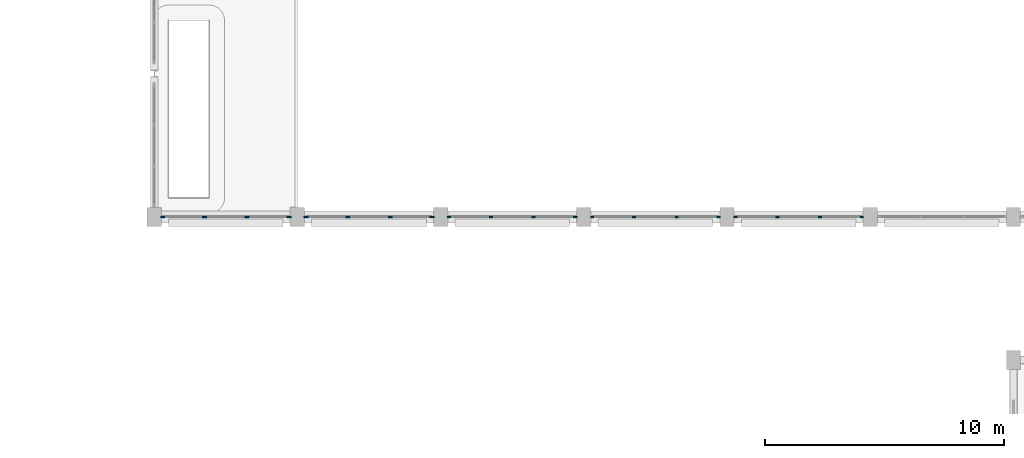
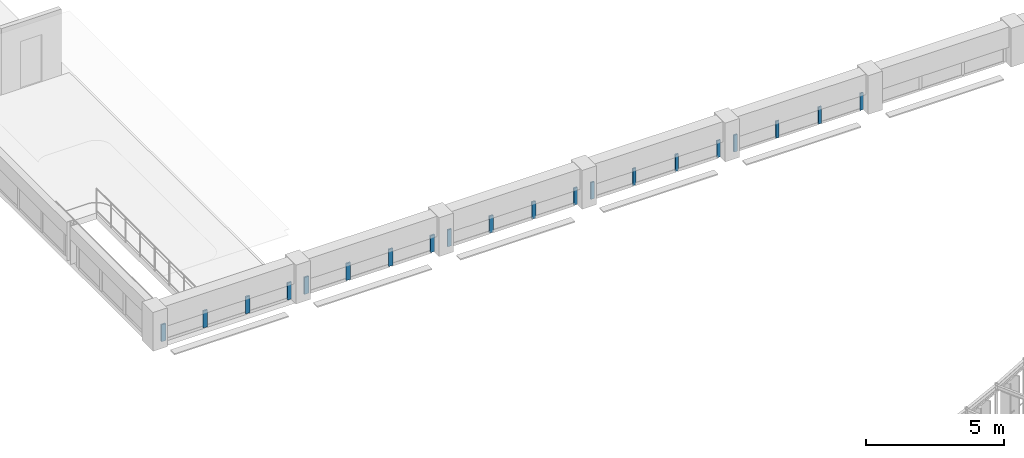
# One storey, part 69 of 137: 20 members, 5 elements without a shape of their own.
"""IFC4 building model written with IfcOpenShell, lengths in metres."""

from ifc_helpers import new_model, si_unit, direction, frame, origin, origin_2d, place, context, subcontext, project, spatial, rectangle, extrude, material, layer, layer_set, material_profile, profile_set, type_object, element, aggregate, save


model = new_model("IFC4")

# Units and contexts
model_context = context("Model", 3, precision=1e-05, world=origin(), true_north=direction((0.0, 1.0)))
body_context = subcontext(model_context, "Body", "Model", "MODEL_VIEW")
ifc_project = project(units=[si_unit("LENGTHUNIT", "METRE"), si_unit("AREAUNIT", "SQUARE_METRE"), si_unit("VOLUMEUNIT", "CUBIC_METRE"), si_unit("PLANEANGLEUNIT", "RADIAN"), si_unit("MASSUNIT", "GRAM", prefix="KILO"), si_unit("POWERUNIT", "WATT"), si_unit("THERMODYNAMICTEMPERATUREUNIT", "KELVIN")], contexts=[model_context])

# Site, building, storey
site_placement = place(None, origin())
site = spatial("IfcSite", under=ifc_project, at=site_placement, CompositionType="ELEMENT")
building_placement = place(site_placement, origin())
building = spatial("IfcBuilding", under=site, at=building_placement, Name="Ruvembo Vaulted Housing Court", CompositionType="ELEMENT")
storey_placement = place(building_placement, frame((0.0, 0.0, 4.5)))
storey = spatial("IfcBuildingStorey", under=building, at=storey_placement, Name="L01", CompositionType="ELEMENT", Elevation=4.5)

# Curtain wall, members
ifc_material_1 = material(Name="Anodised Aluminium and Solar-Control Glass", Category="aluminium")
ifc_layer = layer(ifc_material_1, 0.139892578125, Name="Anodised Aluminium and Solar-Control Glass")
ifc_layer_set = layer_set([ifc_layer], Name="Anodised Aluminium and Solar-Control Glass")
curtain_wall_type = type_object("IfcCurtainWallType", Name="CW-HALL-CLER", PredefinedType="NOTDEFINED", material=ifc_layer_set)
curtain_wall_1_placement = place(storey_placement, origin())
curtain_wall_1 = element("IfcCurtainWall", 1, at=curtain_wall_1_placement, inside=storey, type_object=curtain_wall_type, Name="L01 Curtain Wall CW-L01-0100", PredefinedType="NOTDEFINED")
ifc_material_2 = material(Name="Anodised Aluminium 6063-T6", Category="aluminium")
ifc_material_profile_1 = material_profile(ifc_material_2, rectangle(XDim=0.06005859375, YDim=0.139892578125, at=origin_2d()), Name="ALU 60x140")
ifc_profile_set_1 = profile_set([ifc_material_profile_1], Name="Anodised Aluminium 6063-T6")
member_type_1 = type_object("IfcMemberType", Name="CW-MUL-60x140", PredefinedType="MULLION", material=ifc_profile_set_1)
member_1_placement = place(storey_placement, frame((84.35498046875, 42.0, 0.0), z_axis=(0.0, 0.0, 1.0), x_axis=(0.0, 1.0, 0.0)))
member_1 = element("IfcMember", 2, at=member_1_placement, type_object=member_type_1, Name="CW7 mullion 1", PredefinedType="MULLION", context=body_context, shape_type="SweptSolid", body=[
    extrude(rectangle(XDim=0.06005859375, YDim=0.139892578125, at=origin_2d()), origin(), (0.0, 0.0, 1.0), 0.75),
])
member_2_placement = place(storey_placement, frame((86.1083984375, 42.0, 0.0), z_axis=(0.0, 0.0, 1.0), x_axis=(0.0, 1.0, 0.0)))
member_2 = element("IfcMember", 3, at=member_2_placement, type_object=member_type_1, Name="CW7 mullion 2", PredefinedType="MULLION", context=body_context, shape_type="SweptSolid", body=[
    extrude(rectangle(XDim=0.06005859375, YDim=0.139892578125, at=origin_2d()), origin(), (0.0, 0.0, 1.0), 0.75),
])
member_3_placement = place(storey_placement, frame((87.8916015625, 42.0, 0.0), z_axis=(0.0, 0.0, 1.0), x_axis=(0.0, 1.0, 0.0)))
member_3 = element("IfcMember", 4, at=member_3_placement, type_object=member_type_1, Name="CW7 mullion 3", PredefinedType="MULLION", context=body_context, shape_type="SweptSolid", body=[
    extrude(rectangle(XDim=0.06005859375, YDim=0.139892578125, at=origin_2d()), origin(), (0.0, 0.0, 1.0), 0.75),
])
member_4_placement = place(storey_placement, frame((89.64501953125, 42.0, 0.0), z_axis=(0.0, 0.0, 1.0), x_axis=(0.0, 1.0, 0.0)))
member_4 = element("IfcMember", 5, at=member_4_placement, type_object=member_type_1, Name="CW7 mullion 4", PredefinedType="MULLION", context=body_context, shape_type="SweptSolid", body=[
    extrude(rectangle(XDim=0.06005859375, YDim=0.139892578125, at=origin_2d()), origin(), (0.0, 0.0, 1.0), 0.75),
])
aggregate(curtain_wall_1, [member_1, member_2, member_3, member_4])

curtain_wall_2_placement = place(storey_placement, origin())
curtain_wall_2 = element("IfcCurtainWall", 6, at=curtain_wall_2_placement, inside=storey, type_object=curtain_wall_type, Name="L01 Curtain Wall CW-L01-0104", PredefinedType="NOTDEFINED")
member_5_placement = place(storey_placement, frame((90.35498046875, 42.0, 0.0), z_axis=(0.0, 0.0, 1.0), x_axis=(0.0, 1.0, 0.0)))
member_5 = element("IfcMember", 7, at=member_5_placement, type_object=member_type_1, Name="CW7 mullion 1", PredefinedType="MULLION", context=body_context, shape_type="SweptSolid", body=[
    extrude(rectangle(XDim=0.06005859375, YDim=0.139892578125, at=origin_2d()), origin(), (0.0, 0.0, 1.0), 0.75),
])
member_6_placement = place(storey_placement, frame((92.1083984375, 42.0, 0.0), z_axis=(0.0, 0.0, 1.0), x_axis=(0.0, 1.0, 0.0)))
member_6 = element("IfcMember", 8, at=member_6_placement, type_object=member_type_1, Name="CW7 mullion 2", PredefinedType="MULLION", context=body_context, shape_type="SweptSolid", body=[
    extrude(rectangle(XDim=0.06005859375, YDim=0.139892578125, at=origin_2d()), origin(), (0.0, 0.0, 1.0), 0.75),
])
member_7_placement = place(storey_placement, frame((93.8916015625, 42.0, 0.0), z_axis=(0.0, 0.0, 1.0), x_axis=(0.0, 1.0, 0.0)))
member_7 = element("IfcMember", 9, at=member_7_placement, type_object=member_type_1, Name="CW7 mullion 3", PredefinedType="MULLION", context=body_context, shape_type="SweptSolid", body=[
    extrude(rectangle(XDim=0.06005859375, YDim=0.139892578125, at=origin_2d()), origin(), (0.0, 0.0, 1.0), 0.75),
])
member_8_placement = place(storey_placement, frame((95.64501953125, 42.0, 0.0), z_axis=(0.0, 0.0, 1.0), x_axis=(0.0, 1.0, 0.0)))
member_8 = element("IfcMember", 10, at=member_8_placement, type_object=member_type_1, Name="CW7 mullion 4", PredefinedType="MULLION", context=body_context, shape_type="SweptSolid", body=[
    extrude(rectangle(XDim=0.06005859375, YDim=0.139892578125, at=origin_2d()), origin(), (0.0, 0.0, 1.0), 0.75),
])
aggregate(curtain_wall_2, [member_5, member_6, member_7, member_8])

curtain_wall_3_placement = place(storey_placement, origin())
curtain_wall_3 = element("IfcCurtainWall", 11, at=curtain_wall_3_placement, inside=storey, type_object=curtain_wall_type, Name="L01 Curtain Wall CW-L01-0090", PredefinedType="NOTDEFINED")
ifc_material_profile_2 = material_profile(ifc_material_2, rectangle(XDim=0.06494140625, YDim=0.179931640625, at=origin_2d()), Name="ALU 65x180")
ifc_profile_set_2 = profile_set([ifc_material_profile_2], Name="Anodised Aluminium 6063-T6")
member_type_2 = type_object("IfcMemberType", Name="CW-MUL-65x180", PredefinedType="MULLION", material=ifc_profile_set_2)
member_9_placement = place(storey_placement, frame((66.357421875, 42.0, 0.0), z_axis=(0.0, 0.0, 1.0), x_axis=(0.0, 1.0, 0.0)))
member_9 = element("IfcMember", 12, at=member_9_placement, type_object=member_type_2, Name="CW7 mullion 1", PredefinedType="MULLION", context=body_context, shape_type="SweptSolid", body=[
    extrude(rectangle(XDim=0.06494140625, YDim=0.179931640625, at=origin_2d()), origin(), (0.0, 0.0, 1.0), 0.75),
])
member_10_placement = place(storey_placement, frame((68.1083984375, 42.0, 0.0), z_axis=(0.0, 0.0, 1.0), x_axis=(0.0, 1.0, 0.0)))
member_10 = element("IfcMember", 13, at=member_10_placement, type_object=member_type_2, Name="CW7 mullion 2", PredefinedType="MULLION", context=body_context, shape_type="SweptSolid", body=[
    extrude(rectangle(XDim=0.06494140625, YDim=0.179931640625, at=origin_2d()), origin(), (0.0, 0.0, 1.0), 0.75),
])
member_11_placement = place(storey_placement, frame((69.8916015625, 42.0, 0.0), z_axis=(0.0, 0.0, 1.0), x_axis=(0.0, 1.0, 0.0)))
member_11 = element("IfcMember", 14, at=member_11_placement, type_object=member_type_2, Name="CW7 mullion 3", PredefinedType="MULLION", context=body_context, shape_type="SweptSolid", body=[
    extrude(rectangle(XDim=0.06494140625, YDim=0.179931640625, at=origin_2d()), origin(), (0.0, 0.0, 1.0), 0.75),
])
member_12_placement = place(storey_placement, frame((71.642578125, 42.0, 0.0), z_axis=(0.0, 0.0, 1.0), x_axis=(0.0, 1.0, 0.0)))
member_12 = element("IfcMember", 15, at=member_12_placement, type_object=member_type_2, Name="CW7 mullion 4", PredefinedType="MULLION", context=body_context, shape_type="SweptSolid", body=[
    extrude(rectangle(XDim=0.06494140625, YDim=0.179931640625, at=origin_2d()), origin(), (0.0, 0.0, 1.0), 0.75),
])
aggregate(curtain_wall_3, [member_9, member_10, member_11, member_12])

curtain_wall_4_placement = place(storey_placement, origin())
curtain_wall_4 = element("IfcCurtainWall", 16, at=curtain_wall_4_placement, inside=storey, type_object=curtain_wall_type, Name="L01 Curtain Wall CW-L01-0094", PredefinedType="NOTDEFINED")
member_13_placement = place(storey_placement, frame((72.357421875, 42.0, 0.0), z_axis=(0.0, 0.0, 1.0), x_axis=(0.0, 1.0, 0.0)))
member_13 = element("IfcMember", 17, at=member_13_placement, type_object=member_type_2, Name="CW7 mullion 1", PredefinedType="MULLION", context=body_context, shape_type="SweptSolid", body=[
    extrude(rectangle(XDim=0.06494140625, YDim=0.179931640625, at=origin_2d()), origin(), (0.0, 0.0, 1.0), 0.75),
])
member_14_placement = place(storey_placement, frame((74.1083984375, 42.0, 0.0), z_axis=(0.0, 0.0, 1.0), x_axis=(0.0, 1.0, 0.0)))
member_14 = element("IfcMember", 18, at=member_14_placement, type_object=member_type_2, Name="CW7 mullion 2", PredefinedType="MULLION", context=body_context, shape_type="SweptSolid", body=[
    extrude(rectangle(XDim=0.06494140625, YDim=0.179931640625, at=origin_2d()), origin(), (0.0, 0.0, 1.0), 0.75),
])
member_15_placement = place(storey_placement, frame((75.8916015625, 42.0, 0.0), z_axis=(0.0, 0.0, 1.0), x_axis=(0.0, 1.0, 0.0)))
member_15 = element("IfcMember", 19, at=member_15_placement, type_object=member_type_2, Name="CW7 mullion 3", PredefinedType="MULLION", context=body_context, shape_type="SweptSolid", body=[
    extrude(rectangle(XDim=0.06494140625, YDim=0.179931640625, at=origin_2d()), origin(), (0.0, 0.0, 1.0), 0.75),
])
member_16_placement = place(storey_placement, frame((77.642578125, 42.0, 0.0), z_axis=(0.0, 0.0, 1.0), x_axis=(0.0, 1.0, 0.0)))
member_16 = element("IfcMember", 20, at=member_16_placement, type_object=member_type_2, Name="CW7 mullion 4", PredefinedType="MULLION", context=body_context, shape_type="SweptSolid", body=[
    extrude(rectangle(XDim=0.06494140625, YDim=0.179931640625, at=origin_2d()), origin(), (0.0, 0.0, 1.0), 0.75),
])
aggregate(curtain_wall_4, [member_13, member_14, member_15, member_16])

curtain_wall_5_placement = place(storey_placement, origin())
curtain_wall_5 = element("IfcCurtainWall", 21, at=curtain_wall_5_placement, inside=storey, type_object=curtain_wall_type, Name="L01 Curtain Wall CW-L01-0097", PredefinedType="NOTDEFINED")
ifc_material_profile_3 = material_profile(ifc_material_2, rectangle(XDim=0.06005859375, YDim=0.159912109375, at=origin_2d()), Name="ALU 60x160")
ifc_profile_set_3 = profile_set([ifc_material_profile_3], Name="Anodised Aluminium 6063-T6")
member_type_3 = type_object("IfcMemberType", Name="CW-MULLION-65x150", PredefinedType="MULLION", material=ifc_profile_set_3)
member_17_placement = place(storey_placement, frame((78.35498046875, 42.0, 0.0), z_axis=(0.0, 0.0, 1.0), x_axis=(0.0, 1.0, 0.0)))
member_17 = element("IfcMember", 22, at=member_17_placement, type_object=member_type_3, Name="CW7 mullion 1", PredefinedType="MULLION", context=body_context, shape_type="SweptSolid", body=[
    extrude(rectangle(XDim=0.06005859375, YDim=0.159912109375, at=origin_2d()), origin(), (0.0, 0.0, 1.0), 0.75),
])
member_18_placement = place(storey_placement, frame((80.1083984375, 42.0, 0.0), z_axis=(0.0, 0.0, 1.0), x_axis=(0.0, 1.0, 0.0)))
member_18 = element("IfcMember", 23, at=member_18_placement, type_object=member_type_3, Name="CW7 mullion 2", PredefinedType="MULLION", context=body_context, shape_type="SweptSolid", body=[
    extrude(rectangle(XDim=0.06005859375, YDim=0.159912109375, at=origin_2d()), origin(), (0.0, 0.0, 1.0), 0.75),
])
member_19_placement = place(storey_placement, frame((81.8916015625, 42.0, 0.0), z_axis=(0.0, 0.0, 1.0), x_axis=(0.0, 1.0, 0.0)))
member_19 = element("IfcMember", 24, at=member_19_placement, type_object=member_type_3, Name="CW7 mullion 3", PredefinedType="MULLION", context=body_context, shape_type="SweptSolid", body=[
    extrude(rectangle(XDim=0.06005859375, YDim=0.159912109375, at=origin_2d()), origin(), (0.0, 0.0, 1.0), 0.75),
])
member_20_placement = place(storey_placement, frame((83.64501953125, 42.0, 0.0), z_axis=(0.0, 0.0, 1.0), x_axis=(0.0, 1.0, 0.0)))
member_20 = element("IfcMember", 25, at=member_20_placement, type_object=member_type_3, Name="CW7 mullion 4", PredefinedType="MULLION", context=body_context, shape_type="SweptSolid", body=[
    extrude(rectangle(XDim=0.06005859375, YDim=0.159912109375, at=origin_2d()), origin(), (0.0, 0.0, 1.0), 0.75),
])
aggregate(curtain_wall_5, [member_17, member_18, member_19, member_20])

save(model, "model.ifc")
